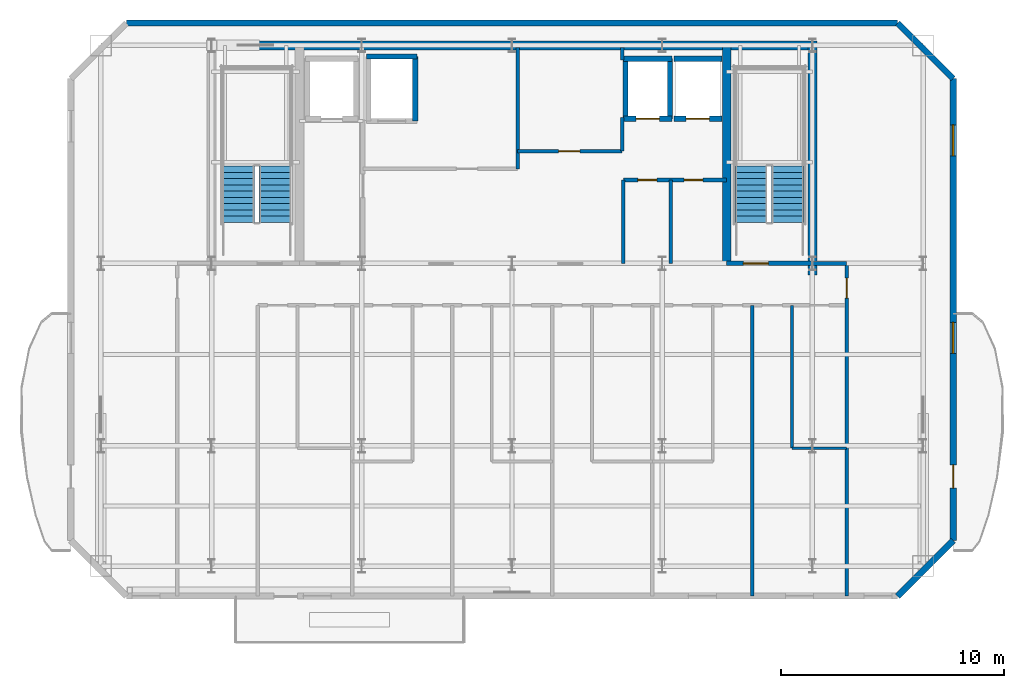
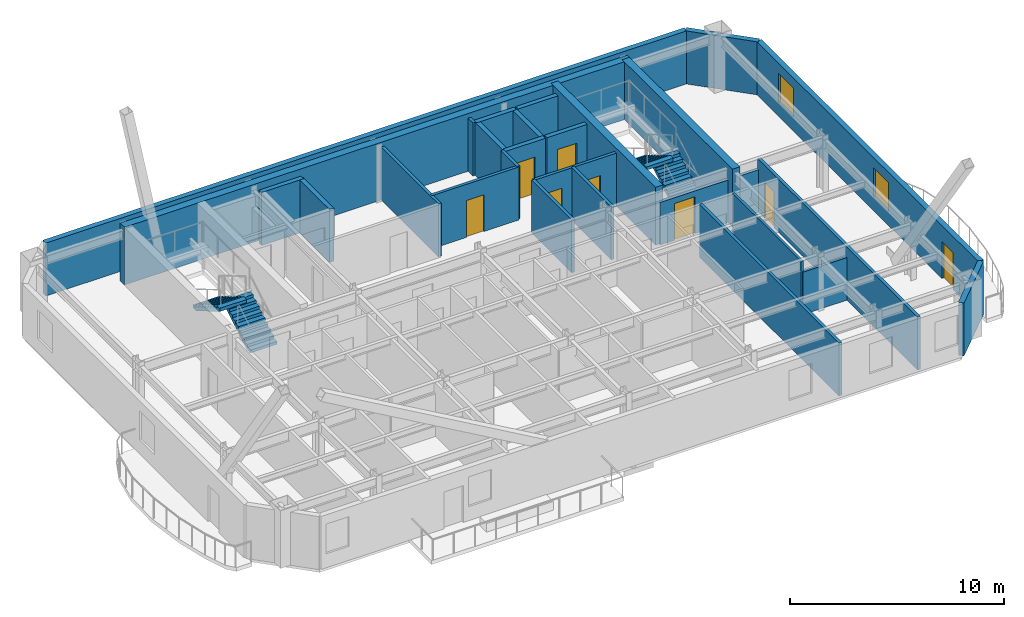
# One storey, part 4 of 6: 28 walls, 8 doors, 4 stair flights, 2 windows, 10 openings, 2 elements without a shape of their own.
"""IFC4 building model written with IfcOpenShell, lengths in metres."""

from ifc_helpers import new_model, si_unit, direction, frame, frame_2d, origin, place, context, subcontext, project, spatial, polyline, rectangle, outline, extrude, material, layer, layer_set, type_object, element, fill, aggregate, save


model = new_model("IFC4")

# Units and contexts
model_context = context("Model", 3, precision=1e-05, world=origin(), true_north=direction((0.0, 1.0)))
body_context = subcontext(model_context, "Body", "Model", "MODEL_VIEW")
ifc_project = project(units=[si_unit("LENGTHUNIT", "METRE"), si_unit("AREAUNIT", "SQUARE_METRE"), si_unit("VOLUMEUNIT", "CUBIC_METRE"), si_unit("PLANEANGLEUNIT", "RADIAN"), si_unit("MASSUNIT", "GRAM", prefix="KILO")], contexts=[model_context])

# Site, building, storey
site_placement = place(None, origin())
site = spatial("IfcSite", under=ifc_project, at=site_placement, CompositionType="ELEMENT")
building_placement = place(site_placement, origin())
building = spatial("IfcBuilding", under=site, at=building_placement, Name="Haevon Station Towers", CompositionType="ELEMENT")
storey_placement = place(building_placement, frame((0.0, 0.0, 249.300048828125)))
storey = spatial("IfcBuildingStorey", under=building, at=storey_placement, Name="L69", CompositionType="ELEMENT", Elevation=249.300048828125)

# Wall
ifc_material_1 = material(Name="Gypsum board on steel stud", Category="steel")
ifc_layer_1 = layer(ifc_material_1, 0.179931640625)
ifc_layer_set_1 = layer_set([ifc_layer_1], Name="Gypsum board on steel stud")
wall_type_1 = type_object("IfcWallType", Name="WL-ACU180", PredefinedType="PARTITIONING", material=ifc_layer_set_1)
wall_1_placement = place(storey_placement, frame((51.0, 38.199951171875, 0.0), z_axis=(0.0, 0.0, 1.0), x_axis=(1.0, 0.0, 0.0)))
element("IfcWall", 1, at=wall_1_placement, inside=storey, type_object=wall_type_1, Name="WL-T1PT-L69-03", PredefinedType="PARTITIONING", context=body_context, shape_type="SweptSolid", body=[
    extrude(rectangle(XDim=1.5380859375, YDim=0.179931640625, at=frame_2d((0.76904296875, 0.0))), origin(), (0.0, 0.0, 1.0), 2.429931640625),
])

# Wall, opening, door
ifc_layer_2 = layer(ifc_material_1, 0.199951171875)
ifc_layer_set_2 = layer_set([ifc_layer_2], Name="Gypsum board on steel stud")
wall_type_2 = type_object("IfcWallType", Name="WL-COR200", PredefinedType="PARTITIONING", material=ifc_layer_set_2)
wall_2_placement = place(storey_placement, frame((47.14990234375, 38.199951171875, 0.0), z_axis=(0.0, 0.0, 1.0), x_axis=(1.0, 0.0, 0.0)))
wall_2 = element("IfcWall", 2, at=wall_2_placement, inside=storey, type_object=wall_type_2, Name="WL-ST-ST2-L69", PredefinedType="PARTITIONING", context=body_context, shape_type="SweptSolid", body=[
    extrude(rectangle(XDim=3.85009765625, YDim=0.199951171875, at=frame_2d((1.925048828125, 0.0))), origin(), (0.0, 0.0, 1.0), 2.429931640625),
])
opening_1_placement = place(wall_2_placement, frame((0.75, 0.0, 0.0)))
opening_1 = element("IfcOpeningElement", 3, at=opening_1_placement, cuts=wall_2, Name="Opening DR-ST-ST2-L69", PredefinedType="OPENING", context=body_context, shape_type="SweptSolid", body=[
    extrude(rectangle(XDim=1.1201171875, YDim=2.10009765625, at=frame_2d((0.56005859375, 1.050048828125))), frame((0.0, 0.10986328125, 0.0), z_axis=(0.0, -1.0, 0.0), x_axis=(1.0, 0.0, 0.0)), (0.0, 0.0, 1.0), 0.219970703125),
])
ifc_material_2 = material(Name="Engineered oak timber", Category="wood")
door_type_1 = type_object("IfcDoorType", Name="DR-ST-1120", OperationType="NOTDEFINED", PredefinedType="DOOR", material=ifc_material_2)
door_1_placement = place(opening_1_placement, origin())
door_1 = element("IfcDoor", 4, at=door_1_placement, inside=storey, type_object=door_type_1, Name="L69 Escape Stair ST2 Fire Door", OperationType="SINGLE_SWING_RIGHT", OverallHeight=2.10009765625, OverallWidth=1.1201171875, PredefinedType="DOOR", context=body_context, shape_type="SweptSolid", body=[
    extrude(rectangle(XDim=1.1201171875, YDim=2.10009765625, at=frame_2d((0.56005859375, 1.050048828125))), frame((0.0, 0.02490234375, 0.0), z_axis=(0.0, -1.0, 0.0), x_axis=(1.0, 0.0, 0.0)), (0.0, 0.0, 1.0), 0.050048828125),
])
fill(opening_1, door_1)

# Walls
ifc_material_3 = material(Name="Concrete C60/75", Category="concrete")
ifc_layer_3 = layer(ifc_material_3, 0.39990234375)
ifc_layer_set_3 = layer_set([ifc_layer_3], Name="Concrete C60/75")
wall_type_3 = type_object("IfcWallType", Name="WL-CR400", PredefinedType="SHEAR", material=ifc_layer_set_3)
wall_3_placement = place(storey_placement, frame((23.800048828125, 48.0, 0.0), z_axis=(0.0, 0.0, 1.0), x_axis=(1.0, 0.0, 0.0)))
element("IfcWall", 5, at=wall_3_placement, inside=storey, type_object=wall_type_3, Name="WL-T1CR-L69-N", PredefinedType="SHEAR", context=body_context, shape_type="SweptSolid", body=[
    extrude(rectangle(XDim=27.39990234375, YDim=0.39990234375, at=frame_2d((13.699951171875, 0.0))), origin(), (0.0, 0.0, 1.0), 3.300048828125),
])
wall_4_placement = place(storey_placement, frame((51.0, 37.679931640625, 0.0), z_axis=(0.0, 0.0, 1.0), x_axis=(0.0, 1.0, 0.0)))
element("IfcWall", 6, at=wall_4_placement, inside=storey, type_object=wall_type_3, Name="WL-T1CR-L69-E", PredefinedType="SHEAR", context=body_context, shape_type="SweptSolid", body=[
    extrude(rectangle(XDim=10.320068359375, YDim=0.39990234375, at=frame_2d((5.16015625, 0.0))), origin(), (0.0, 0.0, 1.0), 3.300048828125),
])
wall_5_placement = place(storey_placement, frame((47.14990234375, 38.199951171875, 0.0), z_axis=(0.0, 0.0, 1.0), x_axis=(0.0, 1.0, 0.0)))
element("IfcWall", 7, at=wall_5_placement, inside=storey, type_object=wall_type_3, Name="WL-T1CR-L69-M2", PredefinedType="SHEAR", context=body_context, shape_type="SweptSolid", body=[
    extrude(rectangle(XDim=9.800048828125, YDim=0.39990234375, at=frame_2d((4.89990234375, 0.0))), origin(), (0.0, 0.0, 1.0), 3.300048828125),
])
ifc_material_4 = material(Name="Precast concrete C45/55", Category="concrete")
ifc_layer_4 = layer(ifc_material_4, 0.280029296875)
ifc_layer_set_4 = layer_set([ifc_layer_4], Name="Precast concrete C45/55")
wall_type_4 = type_object("IfcWallType", Name="WL-EXT-PIER280", PredefinedType="SOLIDWALL", material=ifc_layer_set_4)
wall_6_placement = place(storey_placement, frame((20.175048828125, 49.0, 0.0), z_axis=(0.0, 0.0, 1.0), x_axis=(1.0, 0.0, 0.0)))
element("IfcWall", 8, at=wall_6_placement, inside=storey, type_object=wall_type_4, Name="WL-T1-L69-N", PredefinedType="SOLIDWALL", context=body_context, shape_type="SweptSolid", body=[
    extrude(rectangle(XDim=34.64990234375, YDim=0.280029296875, at=frame_2d((17.324951171875, 0.0))), origin(), (0.0, 0.0, 1.0), 3.030029296875),
])
wall_7_placement = place(storey_placement, frame((54.824951171875, 49.0, 0.0), z_axis=(0.0, 0.0, 1.0), x_axis=(0.707106781187, -0.707106781187, 0.0)))
element("IfcWall", 9, at=wall_7_placement, inside=storey, type_object=wall_type_4, Name="WL-T1-L69-NEC", PredefinedType="SOLIDWALL", context=body_context, shape_type="SweptSolid", body=[
    extrude(rectangle(XDim=3.53564453125, YDim=0.280029296875, at=frame_2d((1.767822265625, 0.0))), origin(), (0.0, 0.0, 1.0), 3.030029296875),
])

# Wall, openings, door, windows
wall_8_placement = place(storey_placement, frame((57.324951171875, 46.5, 0.0), z_axis=(0.0, 0.0, 1.0), x_axis=(0.0, -1.0, 0.0)))
wall_8 = element("IfcWall", 10, at=wall_8_placement, inside=storey, type_object=wall_type_4, Name="WL-T1-L69-E", PredefinedType="SOLIDWALL", context=body_context, shape_type="SweptSolid", body=[
    extrude(rectangle(XDim=20.75, YDim=0.280029296875, at=frame_2d((10.375, 0.0))), origin(), (0.0, 0.0, 1.0), 3.030029296875),
])
opening_2_placement = place(wall_8_placement, frame((17.35009765625, 0.0, 0.0)))
opening_2 = element("IfcOpeningElement", 11, at=opening_2_placement, cuts=wall_8, Name="Opening DR-T1-SCAL-L69-E", PredefinedType="OPENING", context=body_context, shape_type="SweptSolid", body=[
    extrude(rectangle(XDim=1.050048828125, YDim=2.10009765625, at=frame_2d((0.52490234375, 1.050048828125))), frame((0.0, 0.14990234375, 0.0), z_axis=(0.0, -1.0, 0.0), x_axis=(1.0, 0.0, 0.0)), (0.0, 0.0, 1.0), 0.300048828125),
])
opening_3_placement = place(wall_8_placement, frame((2.06787109375, 0.0, 0.800048828125)))
opening_3 = element("IfcOpeningElement", 12, at=opening_3_placement, cuts=wall_8, Name="Opening WN-END140", PredefinedType="OPENING", context=body_context, shape_type="SweptSolid", body=[
    extrude(rectangle(XDim=1.39990234375, YDim=1.64990234375, at=frame_2d((0.699951171875, 0.824951171875))), frame((0.0, 0.14990234375, 0.0), z_axis=(0.0, -1.0, 0.0), x_axis=(1.0, 0.0, 0.0)), (0.0, 0.0, 1.0), 0.300048828125),
])
opening_4_placement = place(wall_8_placement, frame((10.94287109375, 0.0, 0.800048828125)))
opening_4 = element("IfcOpeningElement", 13, at=opening_4_placement, cuts=wall_8, Name="Opening WN-END140", PredefinedType="OPENING", context=body_context, shape_type="SweptSolid", body=[
    extrude(rectangle(XDim=1.39990234375, YDim=1.64990234375, at=frame_2d((0.699951171875, 0.824951171875))), frame((0.0, 0.14990234375, 0.0), z_axis=(0.0, -1.0, 0.0), x_axis=(1.0, 0.0, 0.0)), (0.0, 0.0, 1.0), 0.300048828125),
])
ifc_material_5 = material(Name="Thermally broken anodised aluminium and laminated safety glass", Category="aluminium")
door_type_2 = type_object("IfcDoorType", Name="DR-BALC-1050", OperationType="NOTDEFINED", PredefinedType="DOOR", material=ifc_material_5)
door_2_placement = place(opening_2_placement, origin())
door_2 = element("IfcDoor", 14, at=door_2_placement, inside=storey, type_object=door_type_2, Name="Tower 1 L69 East Scalloped Balcony Door", OperationType="SINGLE_SWING_LEFT", OverallHeight=2.10009765625, OverallWidth=1.050048828125, PredefinedType="DOOR", context=body_context, shape_type="SweptSolid", body=[
    extrude(rectangle(XDim=1.050048828125, YDim=2.10009765625, at=frame_2d((0.52490234375, 1.050048828125))), frame((0.0, 0.02490234375, 0.0), z_axis=(0.0, -1.0, 0.0), x_axis=(1.0, 0.0, 0.0)), (0.0, 0.0, 1.0), 0.050048828125),
])
fill(opening_2, door_2)
ifc_material_6 = material(Name="Low-E triple glazing in thermally broken aluminium", Category="aluminium")
window_type = type_object("IfcWindowType", Name="WN-END140", PartitioningType="SINGLE_PANEL", PredefinedType="WINDOW", material=ifc_material_6)
window_1_placement = place(opening_3_placement, origin())
window_1 = element("IfcWindow", 15, at=window_1_placement, inside=storey, type_object=window_type, Name="WN-T1-L69-E01", OverallHeight=1.64990234375, OverallWidth=1.39990234375, PartitioningType="SINGLE_PANEL", PredefinedType="WINDOW", context=body_context, shape_type="SweptSolid", body=[
    extrude(rectangle(XDim=1.39990234375, YDim=1.64990234375, at=frame_2d((0.699951171875, 0.824951171875))), frame((0.0, 0.030029296875, 0.0), z_axis=(0.0, -1.0, 0.0), x_axis=(1.0, 0.0, 0.0)), (0.0, 0.0, 1.0), 0.06005859375),
])
fill(opening_3, window_1)
window_2_placement = place(opening_4_placement, origin())
window_2 = element("IfcWindow", 16, at=window_2_placement, inside=storey, type_object=window_type, Name="WN-T1-L69-E02", OverallHeight=1.64990234375, OverallWidth=1.39990234375, PartitioningType="SINGLE_PANEL", PredefinedType="WINDOW", context=body_context, shape_type="SweptSolid", body=[
    extrude(rectangle(XDim=1.39990234375, YDim=1.64990234375, at=frame_2d((0.699951171875, 0.824951171875))), frame((0.0, 0.030029296875, 0.0), z_axis=(0.0, -1.0, 0.0), x_axis=(1.0, 0.0, 0.0)), (0.0, 0.0, 1.0), 0.06005859375),
])
fill(opening_4, window_2)

# Walls
wall_9_placement = place(storey_placement, frame((57.324951171875, 25.75, 0.0), z_axis=(0.0, 0.0, 1.0), x_axis=(-0.707106781187, -0.707106781187, 0.0)))
element("IfcWall", 17, at=wall_9_placement, inside=storey, type_object=wall_type_4, Name="WL-T1-L69-SEC", PredefinedType="SOLIDWALL", context=body_context, shape_type="SweptSolid", body=[
    extrude(rectangle(XDim=3.53564453125, YDim=0.280029296875, at=frame_2d((1.767822265625, 0.0))), origin(), (0.0, 0.0, 1.0), 3.030029296875),
])
ifc_layer_5 = layer(ifc_material_1, 0.125)
ifc_layer_set_5 = layer_set([ifc_layer_5], Name="Gypsum board on steel stud")
wall_type_5 = type_object("IfcWallType", Name="WL-PRT125", PredefinedType="PARTITIONING", material=ifc_layer_set_5)
wall_10_placement = place(storey_placement, frame((50.084716796875, 29.8974609375, 0.0), z_axis=(0.0, 0.0, 1.0), x_axis=(1.0, 0.0, 0.0)))
element("IfcWall", 18, at=wall_10_placement, inside=storey, type_object=wall_type_5, Name="WL-T1PT-L69-21", PredefinedType="PARTITIONING", context=body_context, shape_type="SweptSolid", body=[
    extrude(rectangle(XDim=2.453369140625, YDim=0.125, at=frame_2d((1.2265625, 0.0))), origin(), (0.0, 0.0, 1.0), 2.429931640625),
])
wall_11_placement = place(storey_placement, frame((50.084716796875, 29.8974609375, 0.0), z_axis=(0.0, 0.0, 1.0), x_axis=(0.0, 1.0, 0.0)))
element("IfcWall", 19, at=wall_11_placement, inside=storey, type_object=wall_type_5, Name="WL-T1PT-L69-22", PredefinedType="PARTITIONING", context=body_context, shape_type="SweptSolid", body=[
    extrude(rectangle(XDim=6.422607421875, YDim=0.125, at=frame_2d((3.21142578125, 0.0))), origin(), (0.0, 0.0, 1.0), 3.030029296875),
])
ifc_layer_6 = layer(ifc_material_1, 0.159912109375)
ifc_layer_set_6 = layer_set([ifc_layer_6], Name="Gypsum board on steel stud")
wall_type_6 = type_object("IfcWallType", Name="WL-PRT160", PredefinedType="PARTITIONING", material=ifc_layer_set_6)
wall_12_placement = place(storey_placement, frame((37.75, 42.449951171875, 0.0), z_axis=(0.0, 0.0, 1.0), x_axis=(0.0, 1.0, 0.0)))
element("IfcWall", 20, at=wall_12_placement, inside=storey, type_object=wall_type_6, Name="WL-T1CW-L69-02", PredefinedType="PARTITIONING", context=body_context, shape_type="SweptSolid", body=[
    extrude(rectangle(XDim=5.449951171875, YDim=0.159912109375, at=frame_2d((2.72509765625, 0.0))), origin(), (0.0, 0.0, 1.0), 3.030029296875),
])

# Wall, opening, door
wall_13_placement = place(storey_placement, frame((37.75, 43.25, 0.0), z_axis=(0.0, 0.0, 1.0), x_axis=(1.0, 0.0, 0.0)))
wall_13 = element("IfcWall", 21, at=wall_13_placement, inside=storey, type_object=wall_type_6, Name="WL-T1CW-L69-03", PredefinedType="PARTITIONING", context=body_context, shape_type="SweptSolid", body=[
    extrude(rectangle(XDim=4.699951171875, YDim=0.159912109375, at=frame_2d((2.35009765625, 0.0))), origin(), (0.0, 0.0, 1.0), 3.030029296875),
])
opening_5_placement = place(wall_13_placement, frame((1.85009765625, 0.0, 0.0)))
opening_5 = element("IfcOpeningElement", 22, at=opening_5_placement, cuts=wall_13, Name="Opening DR-WL-T1CW-L69-03-1", PredefinedType="OPENING", context=body_context, shape_type="SweptSolid", body=[
    extrude(rectangle(XDim=0.949951171875, YDim=2.10009765625, at=frame_2d((0.47509765625, 1.050048828125))), frame((0.0, 0.08984375, 0.0), z_axis=(0.0, -1.0, 0.0), x_axis=(1.0, 0.0, 0.0)), (0.0, 0.0, 1.0), 0.179931640625),
])
door_type_3 = type_object("IfcDoorType", Name="DR-FD60-950", OperationType="NOTDEFINED", PredefinedType="DOOR", material=ifc_material_2)
door_3_placement = place(opening_5_placement, origin())
door_3 = element("IfcDoor", 23, at=door_3_placement, inside=storey, type_object=door_type_3, Name="L69 Tower 1 Core Room Door 3-1", OperationType="SINGLE_SWING_LEFT", OverallHeight=2.10009765625, OverallWidth=0.949951171875, PredefinedType="DOOR", context=body_context, shape_type="SweptSolid", body=[
    extrude(rectangle(XDim=0.949951171875, YDim=2.10009765625, at=frame_2d((0.47509765625, 1.050048828125))), frame((0.0, 0.02490234375, 0.0), z_axis=(0.0, -1.0, 0.0), x_axis=(1.0, 0.0, 0.0)), (0.0, 0.0, 1.0), 0.050048828125),
])
fill(opening_5, door_3)

# Walls
wall_14_placement = place(storey_placement, frame((42.449951171875, 43.25, 0.0), z_axis=(0.0, 0.0, 1.0), x_axis=(0.0, 1.0, 0.0)))
element("IfcWall", 24, at=wall_14_placement, inside=storey, type_object=wall_type_6, Name="WL-T1CW-L69-04", PredefinedType="PARTITIONING", context=body_context, shape_type="SweptSolid", body=[
    extrude(rectangle(XDim=1.5, YDim=0.159912109375, at=frame_2d((0.75, 0.0))), origin(), (0.0, 0.0, 1.0), 3.030029296875),
])
wall_15_placement = place(storey_placement, frame((42.449951171875, 47.35009765625, 0.0), z_axis=(0.0, 0.0, 1.0), x_axis=(0.0, 1.0, 0.0)))
element("IfcWall", 25, at=wall_15_placement, inside=storey, type_object=wall_type_6, Name="WL-T1CW-L69-05", PredefinedType="PARTITIONING", context=body_context, shape_type="SweptSolid", body=[
    extrude(rectangle(XDim=0.5498046875, YDim=0.159912109375, at=frame_2d((0.27490234375, 0.0))), origin(), (0.0, 0.0, 1.0), 3.030029296875),
])
for number, where, z_axis, x_axis, name in (
    (26, (42.5, 38.199951171875, 0.0), (0.0, 0.0, 1.0), (0.0, 1.0, 0.0), "WL-T1CW-L69-06"),
    (27, (44.6298828125, 38.199951171875, 0.0), (0.0, 0.0, 1.0), (0.0, 1.0, 0.0), "WL-T1CW-L69-07"),
):
    element("IfcWall", number, at=place(storey_placement, frame(where, z_axis=z_axis, x_axis=x_axis)), inside=storey, type_object=wall_type_6, Name=name, PredefinedType="PARTITIONING", context=body_context, shape_type="SweptSolid", body=[
        extrude(rectangle(XDim=3.75, YDim=0.159912109375, at=frame_2d((1.875, 0.0))), origin(), (0.0, 0.0, 1.0), 3.030029296875),
    ])

# Wall, openings, doors
wall_16_placement = place(storey_placement, frame((42.5, 41.949951171875, 0.0), z_axis=(0.0, 0.0, 1.0), x_axis=(1.0, 0.0, 0.0)))
wall_16 = element("IfcWall", 28, at=wall_16_placement, inside=storey, type_object=wall_type_6, Name="WL-T1CW-L69-08", PredefinedType="PARTITIONING", context=body_context, shape_type="SweptSolid", body=[
    extrude(rectangle(XDim=4.64990234375, YDim=0.159912109375, at=frame_2d((2.324951171875, 0.0))), origin(), (0.0, 0.0, 1.0), 3.030029296875),
])
opening_6_placement = place(wall_16_placement, frame((0.659912109375, 0.0, 0.0)))
opening_6 = element("IfcOpeningElement", 29, at=opening_6_placement, cuts=wall_16, Name="Opening DR-WL-T1CW-L69-08-1", PredefinedType="OPENING", context=body_context, shape_type="SweptSolid", body=[
    extrude(rectangle(XDim=0.85009765625, YDim=2.050048828125, at=frame_2d((0.425048828125, 1.02490234375))), frame((0.0, 0.08984375, 0.0), z_axis=(0.0, -1.0, 0.0), x_axis=(1.0, 0.0, 0.0)), (0.0, 0.0, 1.0), 0.179931640625),
])
opening_7_placement = place(wall_16_placement, frame((2.72998046875, 0.0, 0.0)))
opening_7 = element("IfcOpeningElement", 30, at=opening_7_placement, cuts=wall_16, Name="Opening DR-WL-T1CW-L69-08-2", PredefinedType="OPENING", context=body_context, shape_type="SweptSolid", body=[
    extrude(rectangle(XDim=0.85009765625, YDim=2.050048828125, at=frame_2d((0.425048828125, 1.02490234375))), frame((0.0, 0.08984375, 0.0), z_axis=(0.0, -1.0, 0.0), x_axis=(1.0, 0.0, 0.0)), (0.0, 0.0, 1.0), 0.179931640625),
])
door_type_4 = type_object("IfcDoorType", Name="DR-FD30-850", OperationType="NOTDEFINED", PredefinedType="DOOR", material=ifc_material_2)
door_4_placement = place(opening_6_placement, origin())
door_4 = element("IfcDoor", 31, at=door_4_placement, inside=storey, type_object=door_type_4, Name="L69 Tower 1 Core Room Door 8-1", OperationType="SINGLE_SWING_RIGHT", OverallHeight=2.050048828125, OverallWidth=0.85009765625, PredefinedType="DOOR", context=body_context, shape_type="SweptSolid", body=[
    extrude(rectangle(XDim=0.85009765625, YDim=2.050048828125, at=frame_2d((0.425048828125, 1.02490234375))), frame((0.0, 0.02490234375, 0.0), z_axis=(0.0, -1.0, 0.0), x_axis=(1.0, 0.0, 0.0)), (0.0, 0.0, 1.0), 0.050048828125),
])
fill(opening_6, door_4)
door_5_placement = place(opening_7_placement, origin())
door_5 = element("IfcDoor", 32, at=door_5_placement, inside=storey, type_object=door_type_4, Name="L69 Tower 1 Core Room Door 8-2", OperationType="SINGLE_SWING_LEFT", OverallHeight=2.050048828125, OverallWidth=0.85009765625, PredefinedType="DOOR", context=body_context, shape_type="SweptSolid", body=[
    extrude(rectangle(XDim=0.85009765625, YDim=2.050048828125, at=frame_2d((0.425048828125, 1.02490234375))), frame((0.0, 0.02490234375, 0.0), z_axis=(0.0, -1.0, 0.0), x_axis=(1.0, 0.0, 0.0)), (0.0, 0.0, 1.0), 0.050048828125),
])
fill(opening_7, door_5)

# Wall, opening, door
wall_17_placement = place(storey_placement, frame((52.5380859375, 23.25, 0.0), z_axis=(0.0, 0.0, 1.0), x_axis=(0.0, 1.0, 0.0)))
wall_17 = element("IfcWall", 33, at=wall_17_placement, inside=storey, type_object=wall_type_6, Name="WL-T1PT-L69-05", PredefinedType="PARTITIONING", context=body_context, shape_type="SweptSolid", body=[
    extrude(rectangle(XDim=14.949951171875, YDim=0.159912109375, at=frame_2d((7.47509765625, 0.0))), origin(), (0.0, 0.0, 1.0), 3.030029296875),
])
opening_8_placement = place(wall_17_placement, frame((13.389892578125, 0.0, 0.0)))
opening_8 = element("IfcOpeningElement", 34, at=opening_8_placement, cuts=wall_17, Name="Opening DR-WL-T1PT-L69-05-01", PredefinedType="OPENING", context=body_context, shape_type="SweptSolid", body=[
    extrude(rectangle(XDim=0.89990234375, YDim=2.050048828125, at=frame_2d((0.449951171875, 1.02490234375))), frame((0.0, 0.08984375, 0.0), z_axis=(0.0, -1.0, 0.0), x_axis=(1.0, 0.0, 0.0)), (0.0, 0.0, 1.0), 0.179931640625),
])
door_type_5 = type_object("IfcDoorType", Name="DR-INT-900", OperationType="NOTDEFINED", PredefinedType="DOOR", material=ifc_material_2)
door_6_placement = place(opening_8_placement, origin())
door_6 = element("IfcDoor", 35, at=door_6_placement, inside=storey, type_object=door_type_5, Name="L69 Tower 1 Room Door 5-1", OperationType="SINGLE_SWING_LEFT", OverallHeight=2.050048828125, OverallWidth=0.89990234375, PredefinedType="DOOR", context=body_context, shape_type="SweptSolid", body=[
    extrude(rectangle(XDim=0.89990234375, YDim=2.050048828125, at=frame_2d((0.449951171875, 1.02490234375))), frame((0.0, 0.02490234375, 0.0), z_axis=(0.0, -1.0, 0.0), x_axis=(1.0, 0.0, 0.0)), (0.0, 0.0, 1.0), 0.050048828125),
])
fill(opening_8, door_6)

# Walls
wall_18_placement = place(storey_placement, frame((48.3046875, 23.25, 0.0), z_axis=(0.0, 0.0, 1.0), x_axis=(0.0, 1.0, 0.0)))
element("IfcWall", 36, at=wall_18_placement, inside=storey, type_object=wall_type_6, Name="WL-T1PT-L69-20", PredefinedType="PARTITIONING", context=body_context, shape_type="SweptSolid", body=[
    extrude(rectangle(XDim=13.070068359375, YDim=0.159912109375, at=frame_2d((6.53515625, 0.0))), origin(), (0.0, 0.0, 1.0), 3.030029296875),
])
ifc_material_7 = material(Name="Concrete C40/50", Category="concrete")
ifc_layer_7 = layer(ifc_material_7, 0.239990234375)
ifc_layer_set_7 = layer_set([ifc_layer_7], Name="Concrete C40/50")
wall_type_7 = type_object("IfcWallType", Name="WL-SHF240", PredefinedType="PARTITIONING", material=ifc_layer_set_7)
wall_19_placement = place(storey_placement, frame((30.969970703125, 47.5, 0.0), z_axis=(0.0, 0.0, 1.0), x_axis=(1.0, 0.0, 0.0)))
element("IfcWall", 37, at=wall_19_placement, inside=storey, type_object=wall_type_7, Name="WL-SHF-SL1-L69-N", PredefinedType="PARTITIONING", context=body_context, shape_type="SweptSolid", body=[
    extrude(rectangle(XDim=2.260009765625, YDim=0.239990234375, at=frame_2d((1.1298828125, 0.0))), origin(), (0.0, 0.0, 1.0), 3.030029296875),
])
wall_20_placement = place(storey_placement, frame((33.14990234375, 44.60009765625, 0.0), z_axis=(0.0, 0.0, 1.0), x_axis=(0.0, 1.0, 0.0)))
element("IfcWall", 38, at=wall_20_placement, inside=storey, type_object=wall_type_7, Name="WL-SHF-SL1-L69-E", PredefinedType="PARTITIONING", context=body_context, shape_type="SweptSolid", body=[
    extrude(rectangle(XDim=2.89990234375, YDim=0.239990234375, at=frame_2d((1.449951171875, 0.0))), origin(), (0.0, 0.0, 1.0), 3.030029296875),
])

# Wall, opening, door
wall_21_placement = place(storey_placement, frame((42.52001953125, 44.699951171875, 0.0), z_axis=(0.0, 0.0, 1.0), x_axis=(1.0, 0.0, 0.0)))
wall_21 = element("IfcWall", 39, at=wall_21_placement, inside=storey, type_object=wall_type_7, Name="WL-SHF-PL5-L69", PredefinedType="PARTITIONING", context=body_context, shape_type="SweptSolid", body=[
    extrude(rectangle(XDim=2.159912109375, YDim=0.239990234375, at=frame_2d((1.080078125, 0.0))), origin(), (0.0, 0.0, 1.0), 3.030029296875),
])
opening_9_placement = place(wall_21_placement, frame((0.554931640625, 0.0, 0.0)))
opening_9 = element("IfcOpeningElement", 40, at=opening_9_placement, cuts=wall_21, Name="Opening LD-PL5-L69", PredefinedType="OPENING", context=body_context, shape_type="SweptSolid", body=[
    extrude(rectangle(XDim=1.050048828125, YDim=2.14990234375, at=frame_2d((0.52490234375, 1.074951171875))), frame((0.0, 0.1298828125, 0.0), z_axis=(0.0, -1.0, 0.0), x_axis=(1.0, 0.0, 0.0)), (0.0, 0.0, 1.0), 0.260009765625),
])
ifc_material_8 = material(Name="Stainless steel and rated core", Category="steel")
door_type_6 = type_object("IfcDoorType", Name="LD-PL1050", OperationType="SLIDING_TO_LEFT", PredefinedType="DOOR", material=ifc_material_8)
door_7_placement = place(opening_9_placement, origin())
door_7 = element("IfcDoor", 41, at=door_7_placement, inside=storey, type_object=door_type_6, Name="L69 Lift PL5 Sliding Landing Door", OperationType="SLIDING_TO_LEFT", OverallHeight=2.14990234375, OverallWidth=1.050048828125, PredefinedType="DOOR", context=body_context, shape_type="SweptSolid", body=[
    extrude(rectangle(XDim=1.050048828125, YDim=2.14990234375, at=frame_2d((0.52490234375, 1.074951171875))), frame((0.0, 0.02490234375, 0.0), z_axis=(0.0, -1.0, 0.0), x_axis=(1.0, 0.0, 0.0)), (0.0, 0.0, 1.0), 0.050048828125),
])
fill(opening_9, door_7)

# Walls
wall_22_placement = place(storey_placement, frame((42.52001953125, 47.39990234375, 0.0), z_axis=(0.0, 0.0, 1.0), x_axis=(1.0, 0.0, 0.0)))
element("IfcWall", 42, at=wall_22_placement, inside=storey, type_object=wall_type_7, Name="WL-SHF-PL5-L69-N", PredefinedType="PARTITIONING", context=body_context, shape_type="SweptSolid", body=[
    extrude(rectangle(XDim=2.159912109375, YDim=0.239990234375, at=frame_2d((1.080078125, 0.0))), origin(), (0.0, 0.0, 1.0), 3.030029296875),
])
for number, where, z_axis, x_axis, name in (
    (43, (42.60009765625, 44.699951171875, 0.0), (0.0, 0.0, 1.0), (0.0, 1.0, 0.0), "WL-SHF-PL5-L69-W"),
    (44, (44.60009765625, 44.699951171875, 0.0), (0.0, 0.0, 1.0), (0.0, 1.0, 0.0), "WL-SHF-PL5-L69-E"),
):
    element("IfcWall", number, at=place(storey_placement, frame(where, z_axis=z_axis, x_axis=x_axis)), inside=storey, type_object=wall_type_7, Name=name, PredefinedType="PARTITIONING", context=body_context, shape_type="SweptSolid", body=[
        extrude(rectangle(XDim=2.699951171875, YDim=0.239990234375, at=frame_2d((1.35009765625, 0.0))), origin(), (0.0, 0.0, 1.0), 3.030029296875),
    ])

# Wall, opening, door
wall_23_placement = place(storey_placement, frame((44.77001953125, 44.699951171875, 0.0), z_axis=(0.0, 0.0, 1.0), x_axis=(1.0, 0.0, 0.0)))
wall_23 = element("IfcWall", 45, at=wall_23_placement, inside=storey, type_object=wall_type_7, Name="WL-SHF-PL6-L69", PredefinedType="PARTITIONING", context=body_context, shape_type="SweptSolid", body=[
    extrude(rectangle(XDim=2.159912109375, YDim=0.239990234375, at=frame_2d((1.080078125, 0.0))), origin(), (0.0, 0.0, 1.0), 3.030029296875),
])
opening_10_placement = place(wall_23_placement, frame((0.554931640625, 0.0, 0.0)))
opening_10 = element("IfcOpeningElement", 46, at=opening_10_placement, cuts=wall_23, Name="Opening LD-PL6-L69", PredefinedType="OPENING", context=body_context, shape_type="SweptSolid", body=[
    extrude(rectangle(XDim=1.050048828125, YDim=2.14990234375, at=frame_2d((0.52490234375, 1.074951171875))), frame((0.0, 0.1298828125, 0.0), z_axis=(0.0, -1.0, 0.0), x_axis=(1.0, 0.0, 0.0)), (0.0, 0.0, 1.0), 0.260009765625),
])
door_8_placement = place(opening_10_placement, origin())
door_8 = element("IfcDoor", 47, at=door_8_placement, inside=storey, type_object=door_type_6, Name="L69 Lift PL6 Sliding Landing Door", OperationType="SLIDING_TO_LEFT", OverallHeight=2.14990234375, OverallWidth=1.050048828125, PredefinedType="DOOR", context=body_context, shape_type="SweptSolid", body=[
    extrude(rectangle(XDim=1.050048828125, YDim=2.14990234375, at=frame_2d((0.52490234375, 1.074951171875))), frame((0.0, 0.02490234375, 0.0), z_axis=(0.0, -1.0, 0.0), x_axis=(1.0, 0.0, 0.0)), (0.0, 0.0, 1.0), 0.050048828125),
])
fill(opening_10, door_8)

# Wall
wall_24_placement = place(storey_placement, frame((44.77001953125, 47.39990234375, 0.0), z_axis=(0.0, 0.0, 1.0), x_axis=(1.0, 0.0, 0.0)))
element("IfcWall", 48, at=wall_24_placement, inside=storey, type_object=wall_type_7, Name="WL-SHF-PL6-L69-N", PredefinedType="PARTITIONING", context=body_context, shape_type="SweptSolid", body=[
    extrude(rectangle(XDim=2.159912109375, YDim=0.239990234375, at=frame_2d((1.080078125, 0.0))), origin(), (0.0, 0.0, 1.0), 3.030029296875),
])

# Stair, stair flights
stair_type = type_object("IfcStairType", Name="STR-DL1450", PredefinedType="USERDEFINED", material=ifc_material_7)
stair_1_placement = place(storey_placement, origin())
stair_1 = element("IfcStair", 49, at=stair_1_placement, inside=storey, type_object=stair_type, Name="L69 Escape Stair ST1", ObjectType="TWO_RETURN_STAIR", PredefinedType="USERDEFINED")
stair_flight_type = type_object("IfcStairFlightType", Name="STF-ST1450", PredefinedType="STRAIGHT", material=ifc_material_7)
stair_flight_1_placement = place(storey_placement, frame((26.85498046875, 40.050048828125, 0.0), z_axis=(0.0, 0.0, 1.0), x_axis=(0.0, 1.0, 0.0)))
stair_flight_1 = element("IfcStairFlight", 50, at=stair_flight_1_placement, type_object=stair_flight_type, Name="L69 ST1 Flight 1", NumberOfRisers=10, NumberOfTreads=9, PredefinedType="STRAIGHT", RiserHeight=0.165, TreadLength=0.28, context=body_context, shape_type="SweptSolid", body=[
    extrude(outline(polyline([(0.0, 0.0), (0.0, 0.1650390625), (0.280029296875, 0.1650390625), (0.280029296875, 0.330078125), (0.56005859375, 0.330078125), (0.56005859375, 0.4951171875), (0.840087890625, 0.4951171875), (0.840087890625, 0.659912109375), (1.1201171875, 0.659912109375), (1.1201171875, 0.824951171875), (1.39990234375, 0.824951171875), (1.39990234375, 0.989990234375), (1.679931640625, 0.989990234375), (1.679931640625, 1.155029296875), (1.9599609375, 1.155029296875), (1.9599609375, 1.320068359375), (2.239990234375, 1.320068359375), (2.239990234375, 1.485107421875), (2.52001953125, 1.485107421875), (2.52001953125, 1.64990234375), (2.52001953125, 1.29931640625), (0.31494140625, 0.0), (0.0, 0.0)])), frame((0.0, 0.72509765625, 0.0), z_axis=(0.0, -1.0, 0.0), x_axis=(1.0, 0.0, 0.0)), (0.0, 0.0, 1.0), 1.449951171875),
])
stair_flight_2_placement = place(storey_placement, frame((25.205078125, 42.570068359375, 1.64990234375), z_axis=(0.0, 0.0, 1.0), x_axis=(0.0, -1.0, 0.0)))
stair_flight_2 = element("IfcStairFlight", 51, at=stair_flight_2_placement, type_object=stair_flight_type, Name="L69 ST1 Flight 2", NumberOfRisers=10, NumberOfTreads=9, PredefinedType="STRAIGHT", RiserHeight=0.165, TreadLength=0.28, context=body_context, shape_type="SweptSolid", body=[
    extrude(outline(polyline([(0.0, 0.0), (0.0, 0.1650390625), (0.280029296875, 0.1650390625), (0.280029296875, 0.330078125), (0.56005859375, 0.330078125), (0.56005859375, 0.4951171875), (0.840087890625, 0.4951171875), (0.840087890625, 0.659912109375), (1.1201171875, 0.659912109375), (1.1201171875, 0.824951171875), (1.39990234375, 0.824951171875), (1.39990234375, 0.989990234375), (1.679931640625, 0.989990234375), (1.679931640625, 1.155029296875), (1.9599609375, 1.155029296875), (1.9599609375, 1.320068359375), (2.239990234375, 1.320068359375), (2.239990234375, 1.485107421875), (2.52001953125, 1.485107421875), (2.52001953125, 1.64990234375), (2.52001953125, 1.29931640625), (0.31494140625, 0.0), (0.0, 0.0)])), frame((0.0, 0.72509765625, 0.0), z_axis=(0.0, -1.0, 0.0), x_axis=(1.0, 0.0, 0.0)), (0.0, 0.0, 1.0), 1.449951171875),
])
aggregate(stair_1, [stair_flight_1, stair_flight_2])

stair_2_placement = place(storey_placement, origin())
stair_2 = element("IfcStair", 52, at=stair_2_placement, inside=storey, type_object=stair_type, Name="L69 Escape Stair ST2", ObjectType="TWO_RETURN_STAIR", PredefinedType="USERDEFINED")
stair_flight_3_placement = place(storey_placement, frame((49.89501953125, 40.050048828125, 0.0), z_axis=(0.0, 0.0, 1.0), x_axis=(0.0, 1.0, 0.0)))
stair_flight_3 = element("IfcStairFlight", 53, at=stair_flight_3_placement, type_object=stair_flight_type, Name="L69 ST2 Flight 1", NumberOfRisers=10, NumberOfTreads=9, PredefinedType="STRAIGHT", RiserHeight=0.165, TreadLength=0.28, context=body_context, shape_type="SweptSolid", body=[
    extrude(outline(polyline([(0.0, 0.0), (0.0, 0.1650390625), (0.280029296875, 0.1650390625), (0.280029296875, 0.330078125), (0.56005859375, 0.330078125), (0.56005859375, 0.4951171875), (0.840087890625, 0.4951171875), (0.840087890625, 0.659912109375), (1.1201171875, 0.659912109375), (1.1201171875, 0.824951171875), (1.39990234375, 0.824951171875), (1.39990234375, 0.989990234375), (1.679931640625, 0.989990234375), (1.679931640625, 1.155029296875), (1.9599609375, 1.155029296875), (1.9599609375, 1.320068359375), (2.239990234375, 1.320068359375), (2.239990234375, 1.485107421875), (2.52001953125, 1.485107421875), (2.52001953125, 1.64990234375), (2.52001953125, 1.29931640625), (0.31494140625, 0.0), (0.0, 0.0)])), frame((0.0, 0.72509765625, 0.0), z_axis=(0.0, -1.0, 0.0), x_axis=(1.0, 0.0, 0.0)), (0.0, 0.0, 1.0), 1.449951171875),
])
stair_flight_4_placement = place(storey_placement, frame((48.2451171875, 42.570068359375, 1.64990234375), z_axis=(0.0, 0.0, 1.0), x_axis=(0.0, -1.0, 0.0)))
stair_flight_4 = element("IfcStairFlight", 54, at=stair_flight_4_placement, type_object=stair_flight_type, Name="L69 ST2 Flight 2", NumberOfRisers=10, NumberOfTreads=9, PredefinedType="STRAIGHT", RiserHeight=0.165, TreadLength=0.28, context=body_context, shape_type="SweptSolid", body=[
    extrude(outline(polyline([(0.0, 0.0), (0.0, 0.1650390625), (0.280029296875, 0.1650390625), (0.280029296875, 0.330078125), (0.56005859375, 0.330078125), (0.56005859375, 0.4951171875), (0.840087890625, 0.4951171875), (0.840087890625, 0.659912109375), (1.1201171875, 0.659912109375), (1.1201171875, 0.824951171875), (1.39990234375, 0.824951171875), (1.39990234375, 0.989990234375), (1.679931640625, 0.989990234375), (1.679931640625, 1.155029296875), (1.9599609375, 1.155029296875), (1.9599609375, 1.320068359375), (2.239990234375, 1.320068359375), (2.239990234375, 1.485107421875), (2.52001953125, 1.485107421875), (2.52001953125, 1.64990234375), (2.52001953125, 1.29931640625), (0.31494140625, 0.0), (0.0, 0.0)])), frame((0.0, 0.72509765625, 0.0), z_axis=(0.0, -1.0, 0.0), x_axis=(1.0, 0.0, 0.0)), (0.0, 0.0, 1.0), 1.449951171875),
])
aggregate(stair_2, [stair_flight_3, stair_flight_4])

save(model, "model.ifc")
